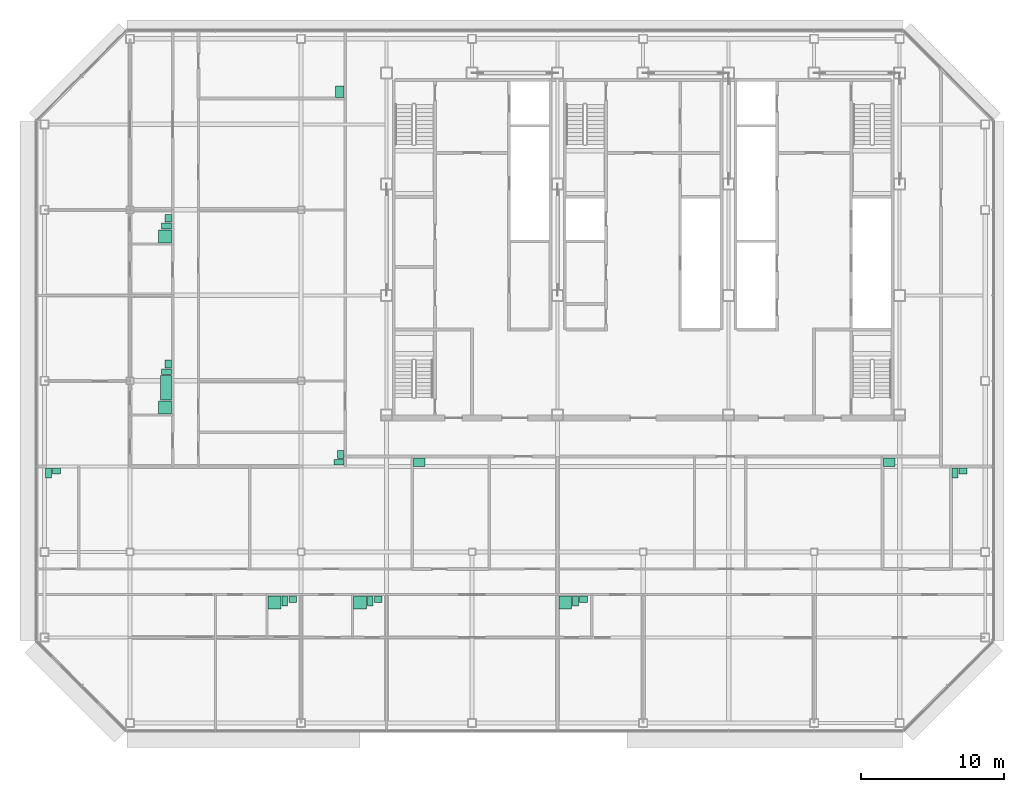
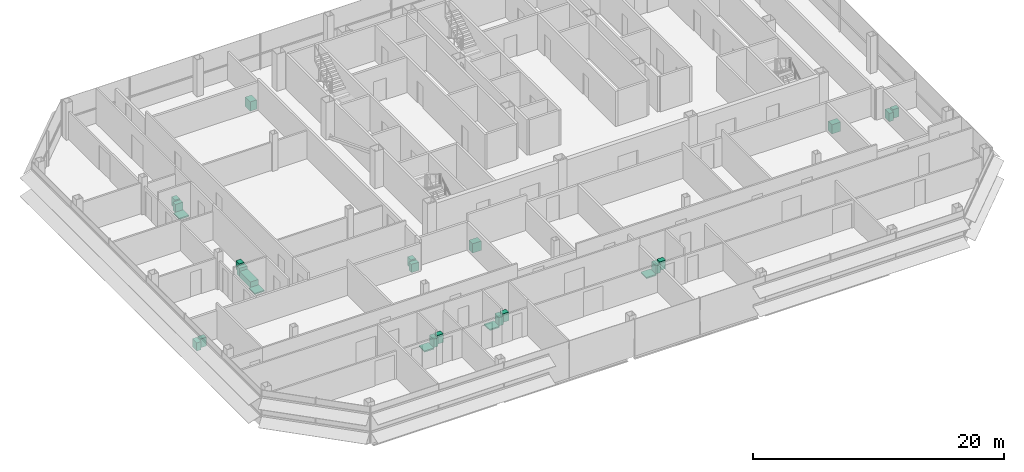
# One storey, part 27 of 27: 25 sanitary terminals.
"""IFC4 building model written with IfcOpenShell, lengths in metres."""

from ifc_helpers import new_model, si_unit, direction, frame, origin, origin_2d, place, context, subcontext, project, spatial, rectangle, extrude, element, save


model = new_model("IFC4")

# Units and contexts
model_context = context("Model", 3, precision=1e-05, world=origin(), true_north=direction((0.0, 1.0)))
body_context = subcontext(model_context, "Body", "Model", "MODEL_VIEW")
ifc_project = project(units=[si_unit("LENGTHUNIT", "METRE"), si_unit("AREAUNIT", "SQUARE_METRE"), si_unit("VOLUMEUNIT", "CUBIC_METRE"), si_unit("PLANEANGLEUNIT", "RADIAN"), si_unit("MASSUNIT", "GRAM", prefix="KILO")], contexts=[model_context])

# Site, building, storey
site_placement = place(None, origin())
site = spatial("IfcSite", under=ifc_project, at=site_placement, CompositionType="ELEMENT")
building_placement = place(site_placement, origin())
building = spatial("IfcBuilding", under=site, at=building_placement, Name="Sorahane Residences", CompositionType="ELEMENT")
storey_placement = place(building_placement, frame((0.0, 0.0, 294.39990234375)))
storey = spatial("IfcBuildingStorey", under=building, at=storey_placement, Name="L69", CompositionType="ELEMENT", Elevation=294.39990234375)

# Sanitary terminals
sanitary_terminal_1_placement = place(storey_placement, frame((-1.8701171875, 8.449951171875, 0.0), z_axis=(0.0, 0.0, 1.0), x_axis=(1.0, 0.0, 0.0)))
element("IfcSanitaryTerminal", 1, at=sanitary_terminal_1_placement, inside=storey, Name="Shower tray En-suite bathroom 69A", PredefinedType="SHOWER", context=body_context, shape_type="SweptSolid", body=[
    extrude(rectangle(XDim=0.89990234375, YDim=0.89990234375, at=origin_2d()), origin(), (0.0, 0.0, 1.0), 0.1201171875),
])
sanitary_terminal_2_placement = place(storey_placement, frame((-1.139892578125, 8.550048828125, 0.0), z_axis=(0.0, 0.0, 1.0), x_axis=(1.0, 0.0, 0.0)))
element("IfcSanitaryTerminal", 2, at=sanitary_terminal_2_placement, inside=storey, Name="WC pan En-suite bathroom 69A", PredefinedType="TOILETPAN", context=body_context, shape_type="SweptSolid", body=[
    extrude(rectangle(XDim=0.39990234375, YDim=0.699951171875, at=origin_2d()), origin(), (0.0, 0.0, 1.0), 0.800048828125),
])
sanitary_terminal_3_placement = place(storey_placement, frame((-0.5849609375, 8.675048828125, 0.0), z_axis=(0.0, 0.0, 1.0), x_axis=(1.0, 0.0, 0.0)))
element("IfcSanitaryTerminal", 3, at=sanitary_terminal_3_placement, inside=storey, Name="Wash basin En-suite bathroom 69A", PredefinedType="WASHHANDBASIN", context=body_context, shape_type="SweptSolid", body=[
    extrude(rectangle(XDim=0.550048828125, YDim=0.449951171875, at=origin_2d()), origin(), (0.0, 0.0, 1.0), 0.85009765625),
])
sanitary_terminal_4_placement = place(storey_placement, frame((4.1298828125, 8.449951171875, 0.0), z_axis=(0.0, 0.0, 1.0), x_axis=(1.0, 0.0, 0.0)))
element("IfcSanitaryTerminal", 4, at=sanitary_terminal_4_placement, inside=storey, Name="Shower tray En-suite bathroom 69A-2", PredefinedType="SHOWER", context=body_context, shape_type="SweptSolid", body=[
    extrude(rectangle(XDim=0.89990234375, YDim=0.89990234375, at=origin_2d()), origin(), (0.0, 0.0, 1.0), 0.1201171875),
])
sanitary_terminal_5_placement = place(storey_placement, frame((4.860107421875, 8.550048828125, 0.0), z_axis=(0.0, 0.0, 1.0), x_axis=(1.0, 0.0, 0.0)))
element("IfcSanitaryTerminal", 5, at=sanitary_terminal_5_placement, inside=storey, Name="WC pan En-suite bathroom 69A-2", PredefinedType="TOILETPAN", context=body_context, shape_type="SweptSolid", body=[
    extrude(rectangle(XDim=0.39990234375, YDim=0.699951171875, at=origin_2d()), origin(), (0.0, 0.0, 1.0), 0.800048828125),
])
sanitary_terminal_6_placement = place(storey_placement, frame((5.4150390625, 8.675048828125, 0.0), z_axis=(0.0, 0.0, 1.0), x_axis=(1.0, 0.0, 0.0)))
element("IfcSanitaryTerminal", 6, at=sanitary_terminal_6_placement, inside=storey, Name="Wash basin En-suite bathroom 69A-2", PredefinedType="WASHHANDBASIN", context=body_context, shape_type="SweptSolid", body=[
    extrude(rectangle(XDim=0.550048828125, YDim=0.449951171875, at=origin_2d()), origin(), (0.0, 0.0, 1.0), 0.85009765625),
])
sanitary_terminal_7_placement = place(storey_placement, frame((-17.719970703125, 17.550048828125, 0.0), z_axis=(0.0, 0.0, 1.0), x_axis=(1.0, 0.0, 0.0)))
element("IfcSanitaryTerminal", 7, at=sanitary_terminal_7_placement, inside=storey, Name="WC pan Guest WC 69A", PredefinedType="TOILETPAN", context=body_context, shape_type="SweptSolid", body=[
    extrude(rectangle(XDim=0.39990234375, YDim=0.699951171875, at=origin_2d()), origin(), (0.0, 0.0, 1.0), 0.800048828125),
])
sanitary_terminal_8_placement = place(storey_placement, frame((-17.1650390625, 17.675048828125, 0.0), z_axis=(0.0, 0.0, 1.0), x_axis=(1.0, 0.0, 0.0)))
element("IfcSanitaryTerminal", 8, at=sanitary_terminal_8_placement, inside=storey, Name="Wash basin Guest WC 69A", PredefinedType="WASHHANDBASIN", context=body_context, shape_type="SweptSolid", body=[
    extrude(rectangle(XDim=0.550048828125, YDim=0.449951171875, at=origin_2d()), origin(), (0.0, 0.0, 1.0), 0.85009765625),
])
sanitary_terminal_9_placement = place(storey_placement, frame((8.280029296875, 18.300048828125, 0.000244140625), z_axis=(0.0, 0.0, 1.0), x_axis=(1.0, 0.0, 0.0)))
element("IfcSanitaryTerminal", 9, at=sanitary_terminal_9_placement, inside=storey, Name="Kitchen sink Kitchen 69A", PredefinedType="SINK", context=body_context, shape_type="SweptSolid", body=[
    extrude(rectangle(XDim=0.800048828125, YDim=0.60009765625, at=origin_2d()), origin(), (0.0, 0.0, 1.0), 0.89990234375),
])
sanitary_terminal_10_placement = place(storey_placement, frame((18.530029296875, 8.449951171875, 0.0), z_axis=(0.0, 0.0, 1.0), x_axis=(1.0, 0.0, 0.0)))
element("IfcSanitaryTerminal", 10, at=sanitary_terminal_10_placement, inside=storey, Name="Shower tray En-suite bathroom 69B", PredefinedType="SHOWER", context=body_context, shape_type="SweptSolid", body=[
    extrude(rectangle(XDim=0.89990234375, YDim=0.89990234375, at=origin_2d()), origin(), (0.0, 0.0, 1.0), 0.1201171875),
])
sanitary_terminal_11_placement = place(storey_placement, frame((19.260009765625, 8.550048828125, 0.0), z_axis=(0.0, 0.0, 1.0), x_axis=(1.0, 0.0, 0.0)))
element("IfcSanitaryTerminal", 11, at=sanitary_terminal_11_placement, inside=storey, Name="WC pan En-suite bathroom 69B", PredefinedType="TOILETPAN", context=body_context, shape_type="SweptSolid", body=[
    extrude(rectangle(XDim=0.39990234375, YDim=0.699951171875, at=origin_2d()), origin(), (0.0, 0.0, 1.0), 0.800048828125),
])
sanitary_terminal_12_placement = place(storey_placement, frame((19.81494140625, 8.675048828125, 0.0), z_axis=(0.0, 0.0, 1.0), x_axis=(1.0, 0.0, 0.0)))
element("IfcSanitaryTerminal", 12, at=sanitary_terminal_12_placement, inside=storey, Name="Wash basin En-suite bathroom 69B", PredefinedType="WASHHANDBASIN", context=body_context, shape_type="SweptSolid", body=[
    extrude(rectangle(XDim=0.550048828125, YDim=0.449951171875, at=origin_2d()), origin(), (0.0, 0.0, 1.0), 0.85009765625),
])
sanitary_terminal_13_placement = place(storey_placement, frame((41.280029296875, 18.300048828125, 0.000244140625), z_axis=(0.0, 0.0, 1.0), x_axis=(1.0, 0.0, 0.0)))
element("IfcSanitaryTerminal", 13, at=sanitary_terminal_13_placement, inside=storey, Name="Kitchen sink Kitchen 69B", PredefinedType="SINK", context=body_context, shape_type="SweptSolid", body=[
    extrude(rectangle(XDim=0.800048828125, YDim=0.60009765625, at=origin_2d()), origin(), (0.0, 0.0, 1.0), 0.89990234375),
])
sanitary_terminal_14_placement = place(storey_placement, frame((45.8798828125, 17.550048828125, 0.0), z_axis=(0.0, 0.0, 1.0), x_axis=(1.0, 0.0, 0.0)))
element("IfcSanitaryTerminal", 14, at=sanitary_terminal_14_placement, inside=storey, Name="WC pan Powder room 69B", PredefinedType="TOILETPAN", context=body_context, shape_type="SweptSolid", body=[
    extrude(rectangle(XDim=0.39990234375, YDim=0.699951171875, at=origin_2d()), origin(), (0.0, 0.0, 1.0), 0.800048828125),
])
sanitary_terminal_15_placement = place(storey_placement, frame((46.43505859375, 17.675048828125, 0.0), z_axis=(0.0, 0.0, 1.0), x_axis=(1.0, 0.0, 0.0)))
element("IfcSanitaryTerminal", 15, at=sanitary_terminal_15_placement, inside=storey, Name="Wash basin Powder room 69B", PredefinedType="WASHHANDBASIN", context=body_context, shape_type="SweptSolid", body=[
    extrude(rectangle(XDim=0.550048828125, YDim=0.449951171875, at=origin_2d()), origin(), (0.0, 0.0, 1.0), 0.85009765625),
])
sanitary_terminal_16_placement = place(storey_placement, frame((-9.550048828125, 22.1298828125, 0.0), z_axis=(0.0, 0.0, 1.0), x_axis=(0.0, -1.0, 0.0)))
element("IfcSanitaryTerminal", 16, at=sanitary_terminal_16_placement, inside=storey, Name="Shower tray En-suite bathroom 69C", PredefinedType="SHOWER", context=body_context, shape_type="SweptSolid", body=[
    extrude(rectangle(XDim=0.89990234375, YDim=0.89990234375, at=origin_2d()), origin(), (0.0, 0.0, 1.0), 0.1201171875),
])
sanitary_terminal_17_placement = place(storey_placement, frame((-9.47509765625, 23.510009765625, 0.0), z_axis=(0.0, 0.0, 1.0), x_axis=(0.0, -1.0, 0.0)))
element("IfcSanitaryTerminal", 17, at=sanitary_terminal_17_placement, inside=storey, Name="Bath En-suite bathroom 69C", PredefinedType="BATH", context=body_context, shape_type="SweptSolid", body=[
    extrude(rectangle(XDim=1.699951171875, YDim=0.75, at=origin_2d()), origin(), (0.0, 0.0, 1.0), 0.56005859375),
])
sanitary_terminal_18_placement = place(storey_placement, frame((-9.449951171875, 24.639892578125, 0.0), z_axis=(0.0, 0.0, 1.0), x_axis=(0.0, -1.0, 0.0)))
element("IfcSanitaryTerminal", 18, at=sanitary_terminal_18_placement, inside=storey, Name="WC pan En-suite bathroom 69C", PredefinedType="TOILETPAN", context=body_context, shape_type="SweptSolid", body=[
    extrude(rectangle(XDim=0.39990234375, YDim=0.699951171875, at=origin_2d()), origin(), (0.0, 0.0, 1.0), 0.800048828125),
])
sanitary_terminal_19_placement = place(storey_placement, frame((-9.324951171875, 25.195068359375, 0.0), z_axis=(0.0, 0.0, 1.0), x_axis=(0.0, -1.0, 0.0)))
element("IfcSanitaryTerminal", 19, at=sanitary_terminal_19_placement, inside=storey, Name="Wash basin En-suite bathroom 69C", PredefinedType="WASHHANDBASIN", context=body_context, shape_type="SweptSolid", body=[
    extrude(rectangle(XDim=0.550048828125, YDim=0.449951171875, at=origin_2d()), origin(), (0.0, 0.0, 1.0), 0.85009765625),
])
sanitary_terminal_20_placement = place(storey_placement, frame((-9.550048828125, 34.1298828125, 0.0), z_axis=(0.0, 0.0, 1.0), x_axis=(0.0, -1.0, 0.0)))
element("IfcSanitaryTerminal", 20, at=sanitary_terminal_20_placement, inside=storey, Name="Shower tray En-suite bathroom 69C-2", PredefinedType="SHOWER", context=body_context, shape_type="SweptSolid", body=[
    extrude(rectangle(XDim=0.89990234375, YDim=0.89990234375, at=origin_2d()), origin(), (0.0, 0.0, 1.0), 0.1201171875),
])
sanitary_terminal_21_placement = place(storey_placement, frame((-9.449951171875, 34.860107421875, 0.0), z_axis=(0.0, 0.0, 1.0), x_axis=(0.0, -1.0, 0.0)))
element("IfcSanitaryTerminal", 21, at=sanitary_terminal_21_placement, inside=storey, Name="WC pan En-suite bathroom 69C-2", PredefinedType="TOILETPAN", context=body_context, shape_type="SweptSolid", body=[
    extrude(rectangle(XDim=0.39990234375, YDim=0.699951171875, at=origin_2d()), origin(), (0.0, 0.0, 1.0), 0.800048828125),
])
sanitary_terminal_22_placement = place(storey_placement, frame((-9.324951171875, 35.4150390625, 0.0), z_axis=(0.0, 0.0, 1.0), x_axis=(0.0, -1.0, 0.0)))
element("IfcSanitaryTerminal", 22, at=sanitary_terminal_22_placement, inside=storey, Name="Wash basin En-suite bathroom 69C-2", PredefinedType="WASHHANDBASIN", context=body_context, shape_type="SweptSolid", body=[
    extrude(rectangle(XDim=0.550048828125, YDim=0.449951171875, at=origin_2d()), origin(), (0.0, 0.0, 1.0), 0.85009765625),
])
sanitary_terminal_23_placement = place(storey_placement, frame((2.64990234375, 18.280029296875, 0.0), z_axis=(0.0, 0.0, 1.0), x_axis=(0.0, -1.0, 0.0)))
element("IfcSanitaryTerminal", 23, at=sanitary_terminal_23_placement, inside=storey, Name="WC pan Guest WC 69C", PredefinedType="TOILETPAN", context=body_context, shape_type="SweptSolid", body=[
    extrude(rectangle(XDim=0.39990234375, YDim=0.699951171875, at=origin_2d()), origin(), (0.0, 0.0, 1.0), 0.800048828125),
])
sanitary_terminal_24_placement = place(storey_placement, frame((2.77490234375, 18.8349609375, 0.0), z_axis=(0.0, 0.0, 1.0), x_axis=(0.0, -1.0, 0.0)))
element("IfcSanitaryTerminal", 24, at=sanitary_terminal_24_placement, inside=storey, Name="Wash basin Guest WC 69C", PredefinedType="WASHHANDBASIN", context=body_context, shape_type="SweptSolid", body=[
    extrude(rectangle(XDim=0.550048828125, YDim=0.449951171875, at=origin_2d()), origin(), (0.0, 0.0, 1.0), 0.85009765625),
])
sanitary_terminal_25_placement = place(storey_placement, frame((2.699951171875, 44.280029296875, 0.000244140625), z_axis=(0.0, 0.0, 1.0), x_axis=(0.0, -1.0, 0.0)))
element("IfcSanitaryTerminal", 25, at=sanitary_terminal_25_placement, inside=storey, Name="Kitchen sink Kitchen 69C", PredefinedType="SINK", context=body_context, shape_type="SweptSolid", body=[
    extrude(rectangle(XDim=0.800048828125, YDim=0.60009765625, at=origin_2d()), origin(), (0.0, 0.0, 1.0), 0.89990234375),
])

save(model, "model.ifc")
